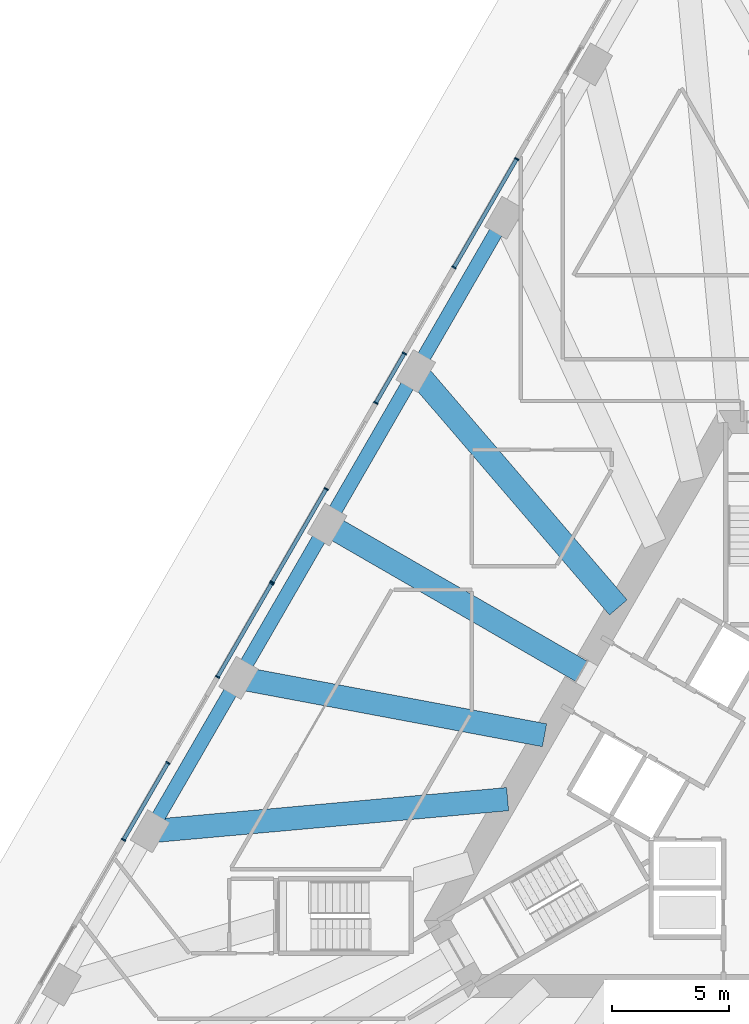
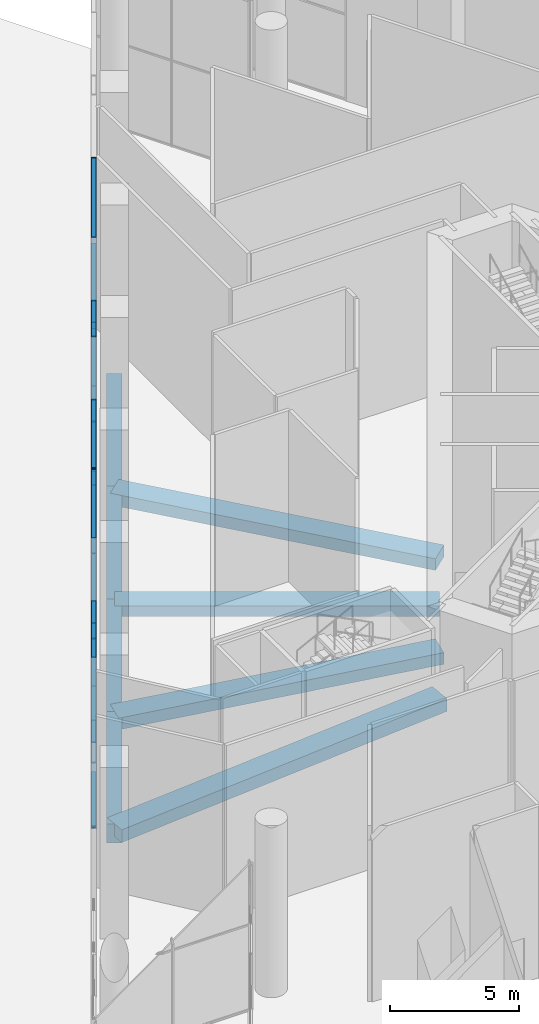
# One storey, part 11 of 41: 25 members, 8 beams, 5 elements without a shape of their own.
"""IFC4 building model written with IfcOpenShell, lengths in metres."""

from ifc_helpers import new_model, si_unit, direction, frame, origin, origin_2d, place, context, subcontext, project, spatial, rectangle, extrude, material, layer, layer_set, material_profile, profile_set, type_object, element, aggregate, save


model = new_model("IFC4")

# Units and contexts
model_context = context("Model", 3, precision=1e-05, world=origin(), true_north=direction((0.0, 1.0)))
body_context = subcontext(model_context, "Body", "Model", "MODEL_VIEW")
ifc_project = project(units=[si_unit("LENGTHUNIT", "METRE"), si_unit("AREAUNIT", "SQUARE_METRE"), si_unit("VOLUMEUNIT", "CUBIC_METRE"), si_unit("PLANEANGLEUNIT", "RADIAN"), si_unit("MASSUNIT", "GRAM", prefix="KILO")], contexts=[model_context])

# Site, building, storey
site_placement = place(None, origin())
site = spatial("IfcSite", under=ifc_project, at=site_placement, CompositionType="ELEMENT")
building_placement = place(site_placement, origin())
building = spatial("IfcBuilding", under=site, at=building_placement, Name="Triada Interchange Tower", CompositionType="ELEMENT")
storey_placement = place(building_placement, origin())
storey = spatial("IfcBuildingStorey", under=building, at=storey_placement, Name="L00", CompositionType="ELEMENT", Elevation=0.0)

# Curtain wall, members
ifc_material_1 = material(Name="Aluminium framed glazing", Category="aluminium")
ifc_layer = layer(ifc_material_1, 0.199951171875)
ifc_layer_set = layer_set([ifc_layer], Name="Curtain wall Concourse glazed screen")
curtain_wall_type = type_object("IfcCurtainWallType", Name="Curtain wall Concourse glazed screen", PredefinedType="NOTDEFINED", material=ifc_layer_set)
curtain_wall_1_placement = place(storey_placement, origin())
curtain_wall_1 = element("IfcCurtainWall", 1, at=curtain_wall_1_placement, inside=storey, type_object=curtain_wall_type, Name="Concourse glazed screen CW032 L00", PredefinedType="NOTDEFINED")
ifc_material_2 = material(Name="Aluminium", Category="aluminium")
ifc_material_profile_1 = material_profile(ifc_material_2, rectangle(XDim=0.199951171875, YDim=0.06005859375, at=origin_2d()), Name="Aluminium mullion")
ifc_profile_set_1 = profile_set([ifc_material_profile_1], Name="Aluminium")
member_type_1 = type_object("IfcMemberType", Name="Mullion Concourse glazed screen 200x60", PredefinedType="MULLION", material=ifc_profile_set_1)
member_1_placement = place(storey_placement, frame((-10.572021484375, 26.488037109375, 0.0), z_axis=(0.0, 0.0, 1.0), x_axis=(0.866004891039, -0.500035527435, 0.0)))
member_1 = element("IfcMember", 2, at=member_1_placement, type_object=member_type_1, Name="CW032 mullion 1", PredefinedType="MULLION", context=body_context, shape_type="SweptSolid", body=[
    extrude(rectangle(XDim=0.199951171875, YDim=0.06005859375, at=origin_2d()), origin(), (0.0, 0.0, 1.0), 8.10009765625),
])
member_2_placement = place(storey_placement, frame((-13.260986328125, 21.8310546875, 0.0), z_axis=(0.0, 0.0, 1.0), x_axis=(0.866004891039, -0.500035527435, 0.0)))
member_2 = element("IfcMember", 3, at=member_2_placement, type_object=member_type_1, Name="CW032 mullion 2", PredefinedType="MULLION", context=body_context, shape_type="SweptSolid", body=[
    extrude(rectangle(XDim=0.199951171875, YDim=0.06005859375, at=origin_2d()), origin(), (0.0, 0.0, 1.0), 8.10009765625),
])

curtain_wall_2_placement = place(storey_placement, origin())
curtain_wall_2 = element("IfcCurtainWall", 4, at=curtain_wall_2_placement, inside=storey, type_object=curtain_wall_type, Name="Concourse glazed screen CW033 L00", PredefinedType="NOTDEFINED")
member_3_placement = place(storey_placement, frame((-15.39111328125, 18.14111328125, 0.0), z_axis=(0.0, 0.0, 1.0), x_axis=(0.865980029408, -0.500078582492, 0.0)))
member_3 = element("IfcMember", 5, at=member_3_placement, type_object=member_type_1, Name="CW033 mullion 1", PredefinedType="MULLION", context=body_context, shape_type="SweptSolid", body=[
    extrude(rectangle(XDim=0.199951171875, YDim=0.06005859375, at=origin_2d()), origin(), (0.0, 0.0, 1.0), 8.10009765625),
])
member_4_placement = place(storey_placement, frame((-16.616943359375, 16.01806640625, 0.0), z_axis=(0.0, 0.0, 1.0), x_axis=(0.865980029408, -0.500078582492, 0.0)))
member_4 = element("IfcMember", 6, at=member_4_placement, type_object=member_type_1, Name="CW033 mullion 2", PredefinedType="MULLION", context=body_context, shape_type="SweptSolid", body=[
    extrude(rectangle(XDim=0.199951171875, YDim=0.06005859375, at=origin_2d()), origin(), (0.0, 0.0, 1.0), 8.10009765625),
])

curtain_wall_3_placement = place(storey_placement, origin())
curtain_wall_3 = element("IfcCurtainWall", 7, at=curtain_wall_3_placement, inside=storey, type_object=curtain_wall_type, Name="Concourse glazed screen CW034 L00", PredefinedType="NOTDEFINED")
member_5_placement = place(storey_placement, frame((-18.7470703125, 12.3291015625, 0.0), z_axis=(0.0, 0.0, 1.0), x_axis=(0.865961626677, -0.500110448923, 0.0)))
member_5 = element("IfcMember", 8, at=member_5_placement, type_object=member_type_1, Name="CW034 mullion 1", PredefinedType="MULLION", context=body_context, shape_type="SweptSolid", body=[
    extrude(rectangle(XDim=0.199951171875, YDim=0.06005859375, at=origin_2d()), origin(), (0.0, 0.0, 1.0), 8.10009765625),
])
member_6_placement = place(storey_placement, frame((-21.06005859375, 8.323974609375, 0.0), z_axis=(0.0, 0.0, 1.0), x_axis=(0.865961626677, -0.500110448923, 0.0)))
member_6 = element("IfcMember", 9, at=member_6_placement, type_object=member_type_1, Name="CW034 mullion 2", PredefinedType="MULLION", context=body_context, shape_type="SweptSolid", body=[
    extrude(rectangle(XDim=0.199951171875, YDim=0.06005859375, at=origin_2d()), origin(), (0.0, 0.0, 1.0), 8.10009765625),
])

curtain_wall_4_placement = place(storey_placement, origin())
curtain_wall_4 = element("IfcCurtainWall", 10, at=curtain_wall_4_placement, inside=storey, type_object=curtain_wall_type, Name="Concourse glazed screen CW035 L00", PredefinedType="NOTDEFINED")
member_7_placement = place(storey_placement, frame((-21.094970703125, 8.262939453125, 0.0), z_axis=(0.0, 0.0, 1.0), x_axis=(0.866054061384, -0.499950360297, 0.0)))
member_7 = element("IfcMember", 11, at=member_7_placement, type_object=member_type_1, Name="CW035 mullion 1", PredefinedType="MULLION", context=body_context, shape_type="SweptSolid", body=[
    extrude(rectangle(XDim=0.199951171875, YDim=0.06005859375, at=origin_2d()), origin(), (0.0, 0.0, 1.0), 8.10009765625),
])
member_8_placement = place(storey_placement, frame((-23.406982421875, 4.258056640625, 0.0), z_axis=(0.0, 0.0, 1.0), x_axis=(0.866054061384, -0.499950360297, 0.0)))
member_8 = element("IfcMember", 12, at=member_8_placement, type_object=member_type_1, Name="CW035 mullion 2", PredefinedType="MULLION", context=body_context, shape_type="SweptSolid", body=[
    extrude(rectangle(XDim=0.199951171875, YDim=0.06005859375, at=origin_2d()), origin(), (0.0, 0.0, 1.0), 8.10009765625),
])

curtain_wall_5_placement = place(storey_placement, origin())
curtain_wall_5 = element("IfcCurtainWall", 13, at=curtain_wall_5_placement, inside=storey, type_object=curtain_wall_type, Name="Concourse glazed screen CW036 L00", PredefinedType="NOTDEFINED")
member_9_placement = place(storey_placement, frame((-25.537109375, 0.569091796875, 0.0), z_axis=(0.0, 0.0, 1.0), x_axis=(0.866056515508, -0.499946109043, 0.0)))
member_9 = element("IfcMember", 14, at=member_9_placement, type_object=member_type_1, Name="CW036 mullion 1", PredefinedType="MULLION", context=body_context, shape_type="SweptSolid", body=[
    extrude(rectangle(XDim=0.199951171875, YDim=0.06005859375, at=origin_2d()), origin(), (0.0, 0.0, 1.0), 8.10009765625),
])
member_10_placement = place(storey_placement, frame((-27.44189453125, -2.73095703125, 0.0), z_axis=(0.0, 0.0, 1.0), x_axis=(0.866056515508, -0.499946109043, 0.0)))
member_10 = element("IfcMember", 15, at=member_10_placement, type_object=member_type_1, Name="CW036 mullion 2", PredefinedType="MULLION", context=body_context, shape_type="SweptSolid", body=[
    extrude(rectangle(XDim=0.199951171875, YDim=0.06005859375, at=origin_2d()), origin(), (0.0, 0.0, 1.0), 8.10009765625),
])

# Beams
ifc_material_3 = material(Name="Concrete C50/60", Category="concrete")
ifc_material_profile_2 = material_profile(ifc_material_3, rectangle(XDim=1.0, YDim=0.5, at=origin_2d()), Name="RC 1000x500")
ifc_profile_set_2 = profile_set([ifc_material_profile_2], Name="Concrete C50/60")
beam_type_1 = type_object("IfcBeamType", Name="Radial band beam P RC 1000x500", PredefinedType="BEAM", material=ifc_profile_set_2)
beam_1_placement = place(storey_placement, frame((-18.7060546875, 10.800048828125, -0.64990234375), z_axis=(0.866027481415, -0.499996401421, 0.0), x_axis=(0.499996401421, 0.866027481415, 0.0)))
element("IfcBeam", 16, at=beam_1_placement, inside=storey, type_object=beam_type_1, Name="Radial band beam BP05 L00", PredefinedType="BEAM", context=body_context, shape_type="SweptSolid", body=[
    extrude(rectangle(XDim=1.0, YDim=0.5, at=origin_2d()), origin(), (0.0, 0.0, 1.0), 12.60009765625),
])
ifc_material_profile_3 = material_profile(ifc_material_3, rectangle(XDim=1.0, YDim=0.550048828125, at=origin_2d()), Name="RC 1000x550")
ifc_profile_set_3 = profile_set([ifc_material_profile_3], Name="Concrete C50/60")
beam_type_2 = type_object("IfcBeamType", Name="Radial band beam P RC 1000x550", PredefinedType="BEAM", material=ifc_profile_set_3)
for number, where, z_axis, x_axis, name in (
    (17, (-14.906005859375, 17.381103515625, -0.675048828125), (0.650979511823, -0.759095300464, 0.0), (0.759095300464, 0.650979511823, 0.0), "Radial band beam BP04 L00"),
    (18, (-22.506103515625, 4.218994140625, -0.675048828125), (0.982880256044, -0.184245494596, 0.0), (0.184245494596, 0.982880256044, 0.0), "Radial band beam BP06 L00"),
):
    element("IfcBeam", number, at=place(storey_placement, frame(where, z_axis=z_axis, x_axis=x_axis)), inside=storey, type_object=beam_type_2, Name=name, PredefinedType="BEAM", context=body_context, shape_type="SweptSolid", body=[
        extrude(rectangle(XDim=1.0, YDim=0.550048828125, at=origin_2d()), origin(), (0.0, 0.0, 1.0), 13.35693359375),
    ])
ifc_material_profile_4 = material_profile(ifc_material_3, rectangle(XDim=1.0, YDim=0.60009765625, at=origin_2d()), Name="RC 1000x600")
ifc_profile_set_4 = profile_set([ifc_material_profile_4], Name="Concrete C50/60")
beam_type_3 = type_object("IfcBeamType", Name="Radial band beam P RC 1000x600", PredefinedType="BEAM", material=ifc_profile_set_4)
beam_2_placement = place(storey_placement, frame((-26.305908203125, -2.362060546875, -0.699951171875), z_axis=(0.995991072831, 0.089452684934, 0.0), x_axis=(-0.089452684934, 0.995991072831, 0.0)))
element("IfcBeam", 19, at=beam_2_placement, inside=storey, type_object=beam_type_3, Name="Radial band beam BP07 L00", PredefinedType="BEAM", context=body_context, shape_type="SweptSolid", body=[
    extrude(rectangle(XDim=1.0, YDim=0.60009765625, at=origin_2d()), origin(), (0.0, 0.0, 1.0), 15.40673828125),
])
ifc_material_profile_5 = material_profile(ifc_material_3, rectangle(XDim=0.60009765625, YDim=0.89990234375, at=origin_2d()), Name="RC 600x900")
ifc_profile_set_5 = profile_set([ifc_material_profile_5], Name="Concrete C50/60")
beam_type_4 = type_object("IfcBeamType", Name="Spandrel beam P RC 600x900", PredefinedType="BEAM", material=ifc_profile_set_5)
beam_3_placement = place(storey_placement, frame((-11.10595703125, 23.9619140625, -0.85009765625), z_axis=(-0.500060803479, -0.865990296034, 0.0), x_axis=(0.865990296034, -0.500060803479, 0.0)))
element("IfcBeam", 20, at=beam_3_placement, inside=storey, type_object=beam_type_4, Name="Spandrel beam EP03 L00", PredefinedType="BEAM", context=body_context, shape_type="SweptSolid", body=[
    extrude(rectangle(XDim=0.60009765625, YDim=0.89990234375, at=origin_2d()), origin(), (0.0, 0.0, 1.0), 7.59912109375),
])
for number, where, z_axis, x_axis, name in (
    (21, (-14.906005859375, 17.381103515625, -0.85009765625), (-0.500046891162, -0.865998329467, 0.0), (0.865998329467, -0.500046891162, 0.0), "Spandrel beam EP04 L00"),
    (22, (-18.7060546875, 10.800048828125, -0.85009765625), (-0.500046891162, -0.865998329467, 0.0), (0.865998329467, -0.500046891162, 0.0), "Spandrel beam EP05 L00"),
    (23, (-22.506103515625, 4.218994140625, -0.85009765625), (-0.500022797313, -0.86601224135, 0.0), (0.86601224135, -0.500022797313, 0.0), "Spandrel beam EP06 L00"),
):
    element("IfcBeam", number, at=place(storey_placement, frame(where, z_axis=z_axis, x_axis=x_axis)), inside=storey, type_object=beam_type_4, Name=name, PredefinedType="BEAM", context=body_context, shape_type="SweptSolid", body=[
        extrude(rectangle(XDim=0.60009765625, YDim=0.89990234375, at=origin_2d()), origin(), (0.0, 0.0, 1.0), 7.599365234375),
    ])

# Member
ifc_material_profile_6 = material_profile(ifc_material_2, rectangle(XDim=0.159912109375, YDim=0.06005859375, at=origin_2d()), Name="Aluminium transom")
ifc_profile_set_6 = profile_set([ifc_material_profile_6], Name="Aluminium")
member_type_2 = type_object("IfcMemberType", Name="Transom Concourse glazed screen 160x60", PredefinedType="USERDEFINED", material=ifc_profile_set_6)
member_11_placement = place(storey_placement, frame((-10.5869140625, 26.462158203125, 0.030029296875), z_axis=(-0.50004964624, -0.865996738617, 0.0), x_axis=(0.865996738617, -0.50004964624, 0.0)))
member_11 = element("IfcMember", 24, at=member_11_placement, type_object=member_type_2, Name="CW032 transom 1.1", ObjectType="TRANSOM", PredefinedType="USERDEFINED", context=body_context, shape_type="SweptSolid", body=[
    extrude(rectangle(XDim=0.159912109375, YDim=0.06005859375, at=origin_2d()), origin(), (0.0, 0.0, 1.0), 5.31787109375),
])

member_12_placement = place(storey_placement, frame((-10.5869140625, 26.462158203125, 4.050048828125), z_axis=(-0.50004964624, -0.865996738617, 0.0), x_axis=(0.865996738617, -0.50004964624, 0.0)))
member_12 = element("IfcMember", 25, at=member_12_placement, type_object=member_type_2, Name="CW032 transom 1.2", ObjectType="TRANSOM", PredefinedType="USERDEFINED", context=body_context, shape_type="SweptSolid", body=[
    extrude(rectangle(XDim=0.159912109375, YDim=0.06005859375, at=origin_2d()), origin(), (0.0, 0.0, 1.0), 5.31787109375),
])

member_13_placement = place(storey_placement, frame((-10.5869140625, 26.462158203125, 8.070068359375), z_axis=(-0.50004964624, -0.865996738617, 0.0), x_axis=(0.865996738617, -0.50004964624, 0.0)))
member_13 = element("IfcMember", 26, at=member_13_placement, type_object=member_type_2, Name="CW032 transom 1.3", ObjectType="TRANSOM", PredefinedType="USERDEFINED", context=body_context, shape_type="SweptSolid", body=[
    extrude(rectangle(XDim=0.159912109375, YDim=0.06005859375, at=origin_2d()), origin(), (0.0, 0.0, 1.0), 5.31787109375),
])

aggregate(curtain_wall_1, [member_1, member_2, member_11, member_12, member_13])

member_14_placement = place(storey_placement, frame((-15.406005859375, 18.114990234375, 0.030029296875), z_axis=(-0.500102410806, -0.865966268804, 0.0), x_axis=(0.865966268804, -0.500102410806, 0.0)))
member_14 = element("IfcMember", 27, at=member_14_placement, type_object=member_type_2, Name="CW033 transom 1.1", ObjectType="TRANSOM", PredefinedType="USERDEFINED", context=body_context, shape_type="SweptSolid", body=[
    extrude(rectangle(XDim=0.159912109375, YDim=0.06005859375, at=origin_2d()), origin(), (0.0, 0.0, 1.0), 2.3916015625),
])

member_15_placement = place(storey_placement, frame((-15.406005859375, 18.114990234375, 4.050048828125), z_axis=(-0.500102410806, -0.865966268804, 0.0), x_axis=(0.865966268804, -0.500102410806, 0.0)))
member_15 = element("IfcMember", 28, at=member_15_placement, type_object=member_type_2, Name="CW033 transom 1.2", ObjectType="TRANSOM", PredefinedType="USERDEFINED", context=body_context, shape_type="SweptSolid", body=[
    extrude(rectangle(XDim=0.159912109375, YDim=0.06005859375, at=origin_2d()), origin(), (0.0, 0.0, 1.0), 2.3916015625),
])

member_16_placement = place(storey_placement, frame((-15.406005859375, 18.114990234375, 8.070068359375), z_axis=(-0.500102410806, -0.865966268804, 0.0), x_axis=(0.865966268804, -0.500102410806, 0.0)))
member_16 = element("IfcMember", 29, at=member_16_placement, type_object=member_type_2, Name="CW033 transom 1.3", ObjectType="TRANSOM", PredefinedType="USERDEFINED", context=body_context, shape_type="SweptSolid", body=[
    extrude(rectangle(XDim=0.159912109375, YDim=0.06005859375, at=origin_2d()), origin(), (0.0, 0.0, 1.0), 2.3916015625),
])

aggregate(curtain_wall_2, [member_3, member_4, member_14, member_15, member_16])

member_17_placement = place(storey_placement, frame((-18.761962890625, 12.302978515625, 0.030029296875), z_axis=(-0.500102056226, -0.865966473576, 0.0), x_axis=(0.865966473576, -0.500102056226, 0.0)))
member_17 = element("IfcMember", 30, at=member_17_placement, type_object=member_type_2, Name="CW034 transom 1.1", ObjectType="TRANSOM", PredefinedType="USERDEFINED", context=body_context, shape_type="SweptSolid", body=[
    extrude(rectangle(XDim=0.159912109375, YDim=0.06005859375, at=origin_2d()), origin(), (0.0, 0.0, 1.0), 4.56494140625),
])

member_18_placement = place(storey_placement, frame((-18.761962890625, 12.302978515625, 4.050048828125), z_axis=(-0.500102056226, -0.865966473576, 0.0), x_axis=(0.865966473576, -0.500102056226, 0.0)))
member_18 = element("IfcMember", 31, at=member_18_placement, type_object=member_type_2, Name="CW034 transom 1.2", ObjectType="TRANSOM", PredefinedType="USERDEFINED", context=body_context, shape_type="SweptSolid", body=[
    extrude(rectangle(XDim=0.159912109375, YDim=0.06005859375, at=origin_2d()), origin(), (0.0, 0.0, 1.0), 4.56494140625),
])

member_19_placement = place(storey_placement, frame((-18.761962890625, 12.302978515625, 8.070068359375), z_axis=(-0.500102056226, -0.865966473576, 0.0), x_axis=(0.865966473576, -0.500102056226, 0.0)))
member_19 = element("IfcMember", 32, at=member_19_placement, type_object=member_type_2, Name="CW034 transom 1.3", ObjectType="TRANSOM", PredefinedType="USERDEFINED", context=body_context, shape_type="SweptSolid", body=[
    extrude(rectangle(XDim=0.159912109375, YDim=0.06005859375, at=origin_2d()), origin(), (0.0, 0.0, 1.0), 4.56494140625),
])

aggregate(curtain_wall_3, [member_5, member_6, member_17, member_18, member_19])

member_20_placement = place(storey_placement, frame((-21.110107421875, 8.237060546875, 0.030029296875), z_axis=(-0.499941608923, -0.866059113264, 0.0), x_axis=(0.866059113264, -0.499941608923, 0.0)))
member_20 = element("IfcMember", 33, at=member_20_placement, type_object=member_type_2, Name="CW035 transom 1.1", ObjectType="TRANSOM", PredefinedType="USERDEFINED", context=body_context, shape_type="SweptSolid", body=[
    extrude(rectangle(XDim=0.159912109375, YDim=0.06005859375, at=origin_2d()), origin(), (0.0, 0.0, 1.0), 4.564453125),
])

member_21_placement = place(storey_placement, frame((-21.110107421875, 8.237060546875, 4.050048828125), z_axis=(-0.499941608923, -0.866059113264, 0.0), x_axis=(0.866059113264, -0.499941608923, 0.0)))
member_21 = element("IfcMember", 34, at=member_21_placement, type_object=member_type_2, Name="CW035 transom 1.2", ObjectType="TRANSOM", PredefinedType="USERDEFINED", context=body_context, shape_type="SweptSolid", body=[
    extrude(rectangle(XDim=0.159912109375, YDim=0.06005859375, at=origin_2d()), origin(), (0.0, 0.0, 1.0), 4.564453125),
])

member_22_placement = place(storey_placement, frame((-21.110107421875, 8.237060546875, 8.070068359375), z_axis=(-0.499941608923, -0.866059113264, 0.0), x_axis=(0.866059113264, -0.499941608923, 0.0)))
member_22 = element("IfcMember", 35, at=member_22_placement, type_object=member_type_2, Name="CW035 transom 1.3", ObjectType="TRANSOM", PredefinedType="USERDEFINED", context=body_context, shape_type="SweptSolid", body=[
    extrude(rectangle(XDim=0.159912109375, YDim=0.06005859375, at=origin_2d()), origin(), (0.0, 0.0, 1.0), 4.564453125),
])

aggregate(curtain_wall_4, [member_7, member_8, member_20, member_21, member_22])

member_23_placement = place(storey_placement, frame((-25.552001953125, 0.54296875, 0.030029296875), z_axis=(-0.499947857008, -0.866055506462, 0.0), x_axis=(0.866055506462, -0.499947857008, 0.0)))
member_23 = element("IfcMember", 36, at=member_23_placement, type_object=member_type_2, Name="CW036 transom 1.1", ObjectType="TRANSOM", PredefinedType="USERDEFINED", context=body_context, shape_type="SweptSolid", body=[
    extrude(rectangle(XDim=0.159912109375, YDim=0.06005859375, at=origin_2d()), origin(), (0.0, 0.0, 1.0), 3.75048828125),
])

member_24_placement = place(storey_placement, frame((-25.552001953125, 0.54296875, 4.050048828125), z_axis=(-0.499947857008, -0.866055506462, 0.0), x_axis=(0.866055506462, -0.499947857008, 0.0)))
member_24 = element("IfcMember", 37, at=member_24_placement, type_object=member_type_2, Name="CW036 transom 1.2", ObjectType="TRANSOM", PredefinedType="USERDEFINED", context=body_context, shape_type="SweptSolid", body=[
    extrude(rectangle(XDim=0.159912109375, YDim=0.06005859375, at=origin_2d()), origin(), (0.0, 0.0, 1.0), 3.75048828125),
])

member_25_placement = place(storey_placement, frame((-25.552001953125, 0.54296875, 8.070068359375), z_axis=(-0.499947857008, -0.866055506462, 0.0), x_axis=(0.866055506462, -0.499947857008, 0.0)))
member_25 = element("IfcMember", 38, at=member_25_placement, type_object=member_type_2, Name="CW036 transom 1.3", ObjectType="TRANSOM", PredefinedType="USERDEFINED", context=body_context, shape_type="SweptSolid", body=[
    extrude(rectangle(XDim=0.159912109375, YDim=0.06005859375, at=origin_2d()), origin(), (0.0, 0.0, 1.0), 3.75048828125),
])

aggregate(curtain_wall_5, [member_9, member_10, member_23, member_24, member_25])

save(model, "model.ifc")
